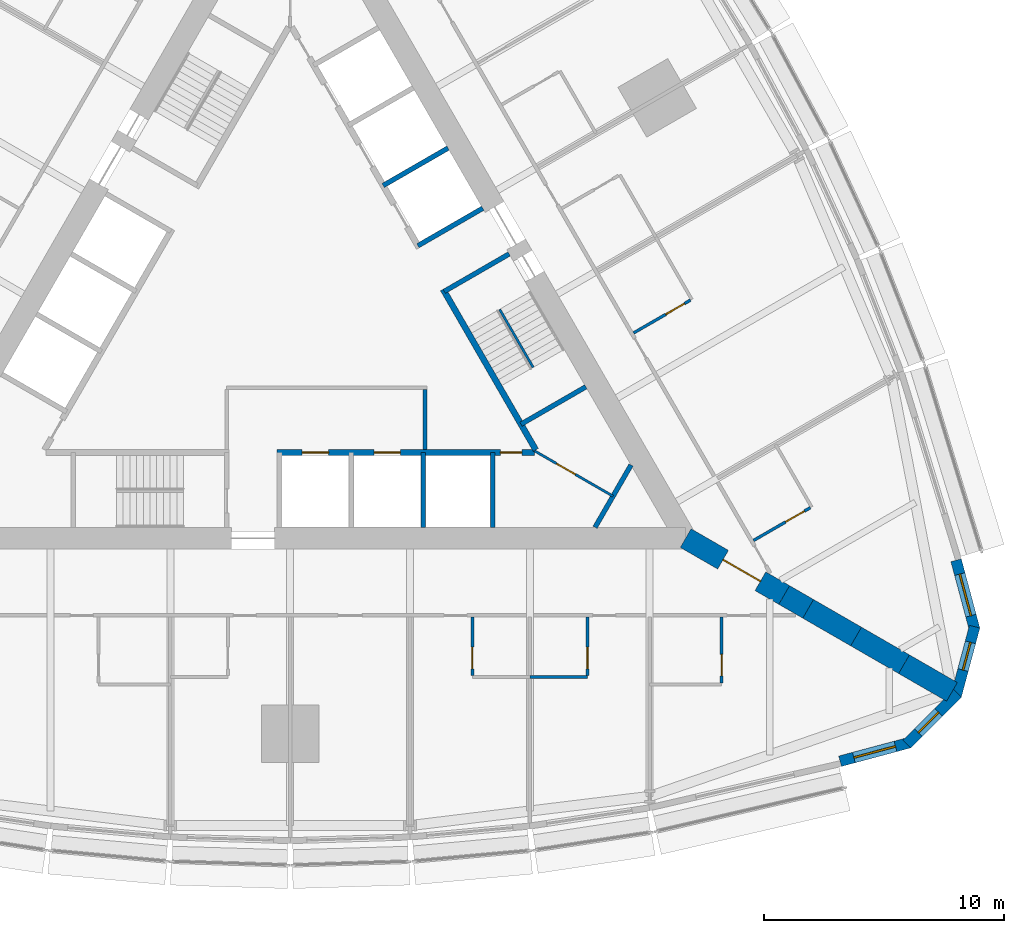
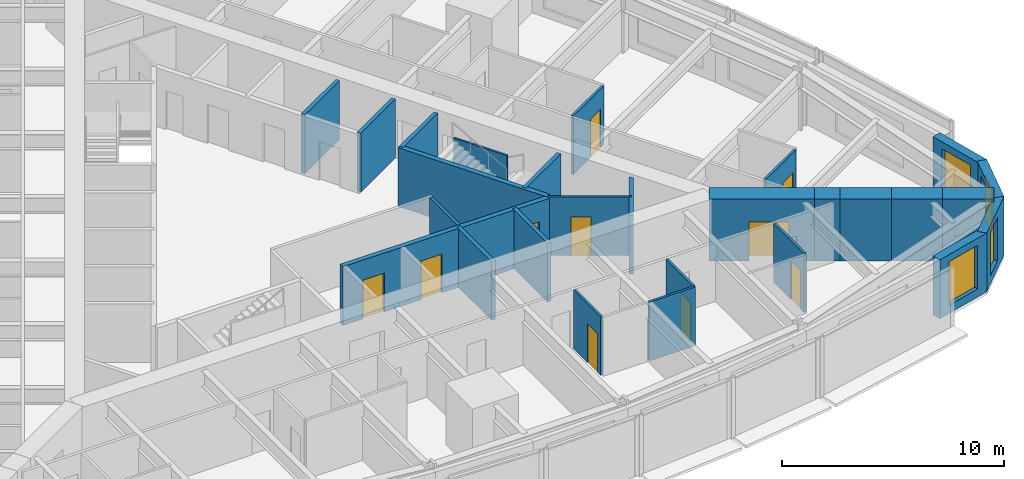
# One storey, part 10 of 14: 27 walls, 10 doors, 4 windows, 14 openings.
"""IFC4 building model written with IfcOpenShell, lengths in metres."""

from ifc_helpers import new_model, si_unit, direction, frame, frame_2d, origin, place, context, subcontext, project, spatial, polyline, rectangle, outline, extrude, material, layer, layer_set, type_object, element, fill, save


model = new_model("IFC4")

# Units and contexts
model_context = context("Model", 3, precision=1e-05, world=origin(), true_north=direction((0.0, 1.0)))
body_context = subcontext(model_context, "Body", "Model", "MODEL_VIEW")
ifc_project = project(units=[si_unit("LENGTHUNIT", "METRE"), si_unit("AREAUNIT", "SQUARE_METRE"), si_unit("VOLUMEUNIT", "CUBIC_METRE"), si_unit("PLANEANGLEUNIT", "RADIAN"), si_unit("MASSUNIT", "GRAM", prefix="KILO")], contexts=[model_context])

# Site, building, storey
site_placement = place(None, origin())
site = spatial("IfcSite", under=ifc_project, at=site_placement, CompositionType="ELEMENT")
building_placement = place(site_placement, origin())
building = spatial("IfcBuilding", under=site, at=building_placement, Name="Trikona Tower", CompositionType="ELEMENT")
storey_placement = place(building_placement, frame((0.0, 0.0, 89.699951171875)))
storey = spatial("IfcBuildingStorey", under=building, at=storey_placement, Name="L23", CompositionType="ELEMENT", Elevation=89.699951171875)

# Wall, opening, door
ifc_material_1 = material(Name="Metal stud and cement board", Category="gypsum")
ifc_layer_1 = layer(ifc_material_1, 0.1201171875)
ifc_layer_set_1 = layer_set([ifc_layer_1], Name="Bathroom wall 120")
wall_type_1 = type_object("IfcWallType", Name="Bathroom wall 120", PredefinedType="PLUMBINGWALL", material=ifc_layer_set_1)
wall_1_placement = place(storey_placement, frame((7.60009765625, -12.826416015625, 0.0), z_axis=(0.0, 0.0, 1.0), x_axis=(0.0, -1.0, 0.0)))
wall_1 = element("IfcWall", 1, at=wall_1_placement, inside=storey, type_object=wall_type_1, Name="Bathroom wall 2304", PredefinedType="PLUMBINGWALL", context=body_context, shape_type="SweptSolid", body=[
    extrude(rectangle(XDim=2.43994140625, YDim=0.1201171875, at=frame_2d((1.219970703125, 0.0))), origin(), (0.0, 0.0, 1.0), 3.235107421875),
])
opening_1_placement = place(wall_1_placement, frame((1.25, 0.0, 0.0)))
opening_1 = element("IfcOpeningElement", 2, at=opening_1_placement, cuts=wall_1, Name="Opening D2", PredefinedType="OPENING", context=body_context, shape_type="SweptSolid", body=[
    extrude(rectangle(XDim=0.89990234375, YDim=2.1298828125, at=frame_2d((0.449951171875, 1.06494140625))), frame((0.0, 0.070068359375, 0.0), z_axis=(0.0, -1.0, 0.0), x_axis=(1.0, 0.0, 0.0)), (0.0, 0.0, 1.0), 0.14013671875),
])
ifc_material_2 = material(Name="Steel door frame with solid-core timber leaf", Category="steel")
door_type_1 = type_object("IfcDoorType", Name="Bathroom door 900x2130", OperationType="SLIDING_TO_LEFT", PredefinedType="DOOR", material=ifc_material_2)
door_1_placement = place(opening_1_placement, origin())
door_1 = element("IfcDoor", 3, at=door_1_placement, inside=storey, type_object=door_type_1, Name="Bathroom door 2304", OperationType="SLIDING_TO_LEFT", OverallHeight=2.1298828125, OverallWidth=0.89990234375, PredefinedType="DOOR", context=body_context, shape_type="SweptSolid", body=[
    extrude(rectangle(XDim=0.89990234375, YDim=2.1298828125, at=frame_2d((0.449951171875, 1.06494140625))), frame((0.0, 0.02490234375, 0.0), z_axis=(0.0, -1.0, 0.0), x_axis=(1.0, 0.0, 0.0)), (0.0, 0.0, 1.0), 0.050048828125),
])
fill(opening_1, door_1)

# Wall
wall_2_placement = place(storey_placement, frame((10.0, -15.326416015625, 0.0), z_axis=(0.0, 0.0, 1.0), x_axis=(1.0, 0.0, 0.0)))
element("IfcWall", 4, at=wall_2_placement, inside=storey, type_object=wall_type_1, Name="Bathroom wall 2305", PredefinedType="PLUMBINGWALL", context=body_context, shape_type="SweptSolid", body=[
    extrude(rectangle(XDim=2.39990234375, YDim=0.1201171875, at=frame_2d((1.199951171875, 0.0))), origin(), (0.0, 0.0, 1.0), 3.235107421875),
])

# Wall, opening, door
wall_3_placement = place(storey_placement, frame((12.39990234375, -12.826416015625, 0.0), z_axis=(0.0, 0.0, 1.0), x_axis=(0.0, -1.0, 0.0)))
wall_3 = element("IfcWall", 5, at=wall_3_placement, inside=storey, type_object=wall_type_1, Name="Bathroom wall 2305", PredefinedType="PLUMBINGWALL", context=body_context, shape_type="SweptSolid", body=[
    extrude(rectangle(XDim=2.43994140625, YDim=0.1201171875, at=frame_2d((1.219970703125, 0.0))), origin(), (0.0, 0.0, 1.0), 3.235107421875),
])
opening_2_placement = place(wall_3_placement, frame((1.25, 0.0, 0.0)))
opening_2 = element("IfcOpeningElement", 6, at=opening_2_placement, cuts=wall_3, Name="Opening D2", PredefinedType="OPENING", context=body_context, shape_type="SweptSolid", body=[
    extrude(rectangle(XDim=0.89990234375, YDim=2.1298828125, at=frame_2d((0.449951171875, 1.06494140625))), frame((0.0, 0.070068359375, 0.0), z_axis=(0.0, -1.0, 0.0), x_axis=(1.0, 0.0, 0.0)), (0.0, 0.0, 1.0), 0.14013671875),
])
door_2_placement = place(opening_2_placement, origin())
door_2 = element("IfcDoor", 7, at=door_2_placement, inside=storey, type_object=door_type_1, Name="Bathroom door 2305", OperationType="SLIDING_TO_LEFT", OverallHeight=2.1298828125, OverallWidth=0.89990234375, PredefinedType="DOOR", context=body_context, shape_type="SweptSolid", body=[
    extrude(rectangle(XDim=0.89990234375, YDim=2.1298828125, at=frame_2d((0.449951171875, 1.06494140625))), frame((0.0, 0.02490234375, 0.0), z_axis=(0.0, -1.0, 0.0), x_axis=(1.0, 0.0, 0.0)), (0.0, 0.0, 1.0), 0.050048828125),
])
fill(opening_2, door_2)

wall_4_placement = place(storey_placement, frame((18.0, -12.826416015625, 0.0), z_axis=(0.0, 0.0, 1.0), x_axis=(0.0, -1.0, 0.0)))
wall_4 = element("IfcWall", 8, at=wall_4_placement, inside=storey, type_object=wall_type_1, Name="Bathroom wall 2306", PredefinedType="PLUMBINGWALL", context=body_context, shape_type="SweptSolid", body=[
    extrude(rectangle(XDim=2.739990234375, YDim=0.1201171875, at=frame_2d((1.3701171875, 0.0))), origin(), (0.0, 0.0, 1.0), 3.235107421875),
])
opening_3_placement = place(wall_4_placement, frame((1.550048828125, 0.0, 0.0)))
opening_3 = element("IfcOpeningElement", 9, at=opening_3_placement, cuts=wall_4, Name="Opening D2", PredefinedType="OPENING", context=body_context, shape_type="SweptSolid", body=[
    extrude(rectangle(XDim=0.89990234375, YDim=2.1298828125, at=frame_2d((0.449951171875, 1.06494140625))), frame((0.0, 0.070068359375, 0.0), z_axis=(0.0, -1.0, 0.0), x_axis=(1.0, 0.0, 0.0)), (0.0, 0.0, 1.0), 0.14013671875),
])
door_3_placement = place(opening_3_placement, origin())
door_3 = element("IfcDoor", 10, at=door_3_placement, inside=storey, type_object=door_type_1, Name="Bathroom door 2306", OperationType="SLIDING_TO_LEFT", OverallHeight=2.1298828125, OverallWidth=0.89990234375, PredefinedType="DOOR", context=body_context, shape_type="SweptSolid", body=[
    extrude(rectangle(XDim=0.89990234375, YDim=2.1298828125, at=frame_2d((0.449951171875, 1.06494140625))), frame((0.0, 0.02490234375, 0.0), z_axis=(0.0, -1.0, 0.0), x_axis=(1.0, 0.0, 0.0)), (0.0, 0.0, 1.0), 0.050048828125),
])
fill(opening_3, door_3)

wall_5_placement = place(storey_placement, frame((19.32861328125, -9.625244140625, 0.0), z_axis=(0.0, 0.0, 1.0), x_axis=(0.866035715982, 0.499982138324, 0.0)))
wall_5 = element("IfcWall", 11, at=wall_5_placement, inside=storey, type_object=wall_type_1, Name="Bathroom wall 2307", PredefinedType="PLUMBINGWALL", context=body_context, shape_type="SweptSolid", body=[
    extrude(rectangle(XDim=2.73974609375, YDim=0.1201171875, at=frame_2d((1.369873046875, 0.0))), origin(), (0.0, 0.0, 1.0), 3.235107421875),
])
opening_4_placement = place(wall_5_placement, frame((1.550048828125, 0.0, 0.0)))
opening_4 = element("IfcOpeningElement", 12, at=opening_4_placement, cuts=wall_5, Name="Opening D2", PredefinedType="OPENING", context=body_context, shape_type="SweptSolid", body=[
    extrude(rectangle(XDim=0.89990234375, YDim=2.1298828125, at=frame_2d((0.449951171875, 1.06494140625))), frame((0.0, 0.070068359375, 0.0), z_axis=(0.0, -1.0, 0.0), x_axis=(1.0, 0.0, 0.0)), (0.0, 0.0, 1.0), 0.14013671875),
])
door_4_placement = place(opening_4_placement, origin())
door_4 = element("IfcDoor", 13, at=door_4_placement, inside=storey, type_object=door_type_1, Name="Bathroom door 2307", OperationType="SLIDING_TO_LEFT", OverallHeight=2.1298828125, OverallWidth=0.89990234375, PredefinedType="DOOR", context=body_context, shape_type="SweptSolid", body=[
    extrude(rectangle(XDim=0.89990234375, YDim=2.1298828125, at=frame_2d((0.449951171875, 1.06494140625))), frame((0.0, 0.02490234375, 0.0), z_axis=(0.0, -1.0, 0.0), x_axis=(1.0, 0.0, 0.0)), (0.0, 0.0, 1.0), 0.050048828125),
])
fill(opening_4, door_4)

wall_6_placement = place(storey_placement, frame((14.32861328125, -0.965087890625, 0.0), z_axis=(0.0, 0.0, 1.0), x_axis=(0.866035715982, 0.499982138324, 0.0)))
wall_6 = element("IfcWall", 14, at=wall_6_placement, inside=storey, type_object=wall_type_1, Name="Bathroom wall 2308", PredefinedType="PLUMBINGWALL", context=body_context, shape_type="SweptSolid", body=[
    extrude(rectangle(XDim=2.73974609375, YDim=0.1201171875, at=frame_2d((1.369873046875, 0.0))), origin(), (0.0, 0.0, 1.0), 3.235107421875),
])
opening_5_placement = place(wall_6_placement, frame((1.550048828125, 0.0, 0.0)))
opening_5 = element("IfcOpeningElement", 15, at=opening_5_placement, cuts=wall_6, Name="Opening D2", PredefinedType="OPENING", context=body_context, shape_type="SweptSolid", body=[
    extrude(rectangle(XDim=0.89990234375, YDim=2.1298828125, at=frame_2d((0.449951171875, 1.06494140625))), frame((0.0, 0.070068359375, 0.0), z_axis=(0.0, -1.0, 0.0), x_axis=(1.0, 0.0, 0.0)), (0.0, 0.0, 1.0), 0.14013671875),
])
door_5_placement = place(opening_5_placement, origin())
door_5 = element("IfcDoor", 16, at=door_5_placement, inside=storey, type_object=door_type_1, Name="Bathroom door 2308", OperationType="SLIDING_TO_LEFT", OverallHeight=2.1298828125, OverallWidth=0.89990234375, PredefinedType="DOOR", context=body_context, shape_type="SweptSolid", body=[
    extrude(rectangle(XDim=0.89990234375, YDim=2.1298828125, at=frame_2d((0.449951171875, 1.06494140625))), frame((0.0, 0.02490234375, 0.0), z_axis=(0.0, -1.0, 0.0), x_axis=(1.0, 0.0, 0.0)), (0.0, 0.0, 1.0), 0.050048828125),
])
fill(opening_5, door_5)

# Wall, opening, window
ifc_material_3 = material(Name="Brick-faced precast concrete", Category="masonry")
ifc_layer_2 = layer(ifc_material_3, 0.449951171875)
ifc_layer_set_2 = layer_set([ifc_layer_2], Name="Brick-faced corner wall 450")
wall_type_2 = type_object("IfcWallType", Name="Brick-faced corner wall 450", PredefinedType="SOLIDWALL", material=ifc_layer_set_2)
wall_7_placement = place(storey_placement, frame((22.94189453125, -18.835205078125, 0.0), z_axis=(0.0, 0.0, 1.0), x_axis=(0.965930548995, 0.258801419081, 0.0)))
wall_7 = element("IfcWall", 17, at=wall_7_placement, inside=storey, type_object=wall_type_2, Name="External wall L23-08", PredefinedType="SOLIDWALL", context=body_context, shape_type="SweptSolid", body=[
    extrude(rectangle(XDim=2.988525390625, YDim=0.449951171875, at=frame_2d((1.494140625, 0.0))), origin(), (0.0, 0.0, 1.0), 3.235107421875),
])
opening_6_placement = place(wall_7_placement, frame((0.59423828125, 0.0, 0.449951171875)))
opening_6 = element("IfcOpeningElement", 18, at=opening_6_placement, cuts=wall_7, Name="Opening W1824", PredefinedType="OPENING", context=body_context, shape_type="SweptSolid", body=[
    extrude(rectangle(XDim=1.800048828125, YDim=2.39990234375, at=frame_2d((0.89990234375, 1.199951171875))), frame((0.0, 0.23486328125, 0.0), z_axis=(0.0, -1.0, 0.0), x_axis=(1.0, 0.0, 0.0)), (0.0, 0.0, 1.0), 0.469970703125),
])
ifc_material_4 = material(Name="Aluminium-framed double glazing", Category="aluminium")
window_type_1 = type_object("IfcWindowType", Name="Window 1800x2400", PartitioningType="SINGLE_PANEL", PredefinedType="WINDOW", material=ifc_material_4)
window_1_placement = place(opening_6_placement, origin())
window_1 = element("IfcWindow", 19, at=window_1_placement, inside=storey, type_object=window_type_1, Name="Window 2306", OverallHeight=2.39990234375, OverallWidth=1.800048828125, PartitioningType="SINGLE_PANEL", PredefinedType="WINDOW", context=body_context, shape_type="SweptSolid", body=[
    extrude(rectangle(XDim=1.800048828125, YDim=2.39990234375, at=frame_2d((0.89990234375, 1.199951171875))), frame((0.0, 0.030029296875, 0.0), z_axis=(0.0, -1.0, 0.0), x_axis=(1.0, 0.0, 0.0)), (0.0, 0.0, 1.0), 0.06005859375),
])
fill(opening_6, window_1)

wall_8_placement = place(storey_placement, frame((25.727783203125, -18.1201171875, 0.0), z_axis=(0.0, 0.0, 1.0), x_axis=(0.707025086683, 0.707188466253, 0.0)))
wall_8 = element("IfcWall", 20, at=wall_8_placement, inside=storey, type_object=wall_type_2, Name="External wall L23-09", PredefinedType="SOLIDWALL", context=body_context, shape_type="SweptSolid", body=[
    extrude(outline(polyline([(2.988525390625, 0.22509765625), (2.929931640625, 0.22509765625), (2.4375, 0.093017578125), (2.402099609375, 0.22509765625), (0.0, 0.22509765625), (0.0, -0.22509765625), (2.988525390625, -0.22509765625), (2.988525390625, 0.22509765625)])), origin(), (0.0, 0.0, 1.0), 3.235107421875),
])
opening_7_placement = place(wall_8_placement, frame((0.676025390625, 0.0, 0.449951171875)))
opening_7 = element("IfcOpeningElement", 21, at=opening_7_placement, cuts=wall_8, Name="Opening W1224", PredefinedType="OPENING", context=body_context, shape_type="SweptSolid", body=[
    extrude(rectangle(XDim=1.199951171875, YDim=2.39990234375, at=frame_2d((0.60009765625, 1.199951171875))), frame((0.0, 0.23486328125, 0.0), z_axis=(0.0, -1.0, 0.0), x_axis=(1.0, 0.0, 0.0)), (0.0, 0.0, 1.0), 0.469970703125),
])
ifc_material_5 = material(Name="Aluminium-framed double glazing", Category="aluminium")
window_type_2 = type_object("IfcWindowType", Name="Window 1200x2400", PartitioningType="SINGLE_PANEL", PredefinedType="WINDOW", material=ifc_material_5)
window_2_placement = place(opening_7_placement, origin())
window_2 = element("IfcWindow", 22, at=window_2_placement, inside=storey, type_object=window_type_2, Name="Window 2306", OverallHeight=2.39990234375, OverallWidth=1.199951171875, PartitioningType="SINGLE_PANEL", PredefinedType="WINDOW", context=body_context, shape_type="SweptSolid", body=[
    extrude(rectangle(XDim=1.199951171875, YDim=2.39990234375, at=frame_2d((0.60009765625, 1.199951171875))), frame((0.0, 0.030029296875, 0.0), z_axis=(0.0, -1.0, 0.0), x_axis=(1.0, 0.0, 0.0)), (0.0, 0.0, 1.0), 0.06005859375),
])
fill(opening_7, window_2)

wall_9_placement = place(storey_placement, frame((27.78271484375, -16.107666015625, 0.0), z_axis=(0.0, 0.0, 1.0), x_axis=(0.258801419081, 0.965930548995, 0.0)))
wall_9 = element("IfcWall", 23, at=wall_9_placement, inside=storey, type_object=wall_type_2, Name="External wall L23-10", PredefinedType="SOLIDWALL", context=body_context, shape_type="SweptSolid", body=[
    extrude(outline(polyline([(2.988525390625, 0.22509765625), (0.58642578125, 0.22509765625), (0.55126953125, 0.09326171875), (0.0595703125, 0.22509765625), (0.0, 0.22509765625), (0.0, -0.22509765625), (2.988525390625, -0.22509765625), (2.988525390625, 0.22509765625)])), origin(), (0.0, 0.0, 1.0), 3.235107421875),
])
opening_8_placement = place(wall_9_placement, frame((1.112548828125, 0.0, 0.449951171875)))
opening_8 = element("IfcOpeningElement", 24, at=opening_8_placement, cuts=wall_9, Name="Opening W1224", PredefinedType="OPENING", context=body_context, shape_type="SweptSolid", body=[
    extrude(rectangle(XDim=1.199951171875, YDim=2.39990234375, at=frame_2d((0.60009765625, 1.199951171875))), frame((0.0, 0.23486328125, 0.0), z_axis=(0.0, -1.0, 0.0), x_axis=(1.0, 0.0, 0.0)), (0.0, 0.0, 1.0), 0.469970703125),
])
window_3_placement = place(opening_8_placement, origin())
window_3 = element("IfcWindow", 25, at=window_3_placement, inside=storey, type_object=window_type_2, Name="Window 2307", OverallHeight=2.39990234375, OverallWidth=1.199951171875, PartitioningType="SINGLE_PANEL", PredefinedType="WINDOW", context=body_context, shape_type="SweptSolid", body=[
    extrude(rectangle(XDim=1.199951171875, YDim=2.39990234375, at=frame_2d((0.60009765625, 1.199951171875))), frame((0.0, 0.030029296875, 0.0), z_axis=(0.0, -1.0, 0.0), x_axis=(1.0, 0.0, 0.0)), (0.0, 0.0, 1.0), 0.06005859375),
])
fill(opening_8, window_3)

wall_10_placement = place(storey_placement, frame((28.55615234375, -13.33740234375, 0.0), z_axis=(0.0, 0.0, 1.0), x_axis=(-0.258780998834, 0.965936019953, 0.0)))
wall_10 = element("IfcWall", 26, at=wall_10_placement, inside=storey, type_object=wall_type_2, Name="External wall L23-11", PredefinedType="SOLIDWALL", context=body_context, shape_type="SweptSolid", body=[
    extrude(rectangle(XDim=2.98876953125, YDim=0.449951171875, at=frame_2d((1.494384765625, 0.0))), origin(), (0.0, 0.0, 1.0), 3.235107421875),
])
opening_9_placement = place(wall_10_placement, frame((0.59423828125, 0.0, 0.449951171875)))
opening_9 = element("IfcOpeningElement", 27, at=opening_9_placement, cuts=wall_10, Name="Opening W1824", PredefinedType="OPENING", context=body_context, shape_type="SweptSolid", body=[
    extrude(rectangle(XDim=1.800048828125, YDim=2.39990234375, at=frame_2d((0.89990234375, 1.199951171875))), frame((0.0, 0.23486328125, 0.0), z_axis=(0.0, -1.0, 0.0), x_axis=(1.0, 0.0, 0.0)), (0.0, 0.0, 1.0), 0.469970703125),
])
window_4_placement = place(opening_9_placement, origin())
window_4 = element("IfcWindow", 28, at=window_4_placement, inside=storey, type_object=window_type_1, Name="Window 2307", OverallHeight=2.39990234375, OverallWidth=1.800048828125, PartitioningType="SINGLE_PANEL", PredefinedType="WINDOW", context=body_context, shape_type="SweptSolid", body=[
    extrude(rectangle(XDim=1.800048828125, YDim=2.39990234375, at=frame_2d((0.89990234375, 1.199951171875))), frame((0.0, 0.030029296875, 0.0), z_axis=(0.0, -1.0, 0.0), x_axis=(1.0, 0.0, 0.0)), (0.0, 0.0, 1.0), 0.06005859375),
])
fill(opening_9, window_4)

# Wall, opening, door
ifc_material_6 = material(Name="Concrete f'c 10000 psi", Category="concrete")
ifc_layer_3 = layer(ifc_material_6, 0.89990234375)
ifc_layer_set_3 = layer_set([ifc_layer_3], Name="Buttress wall 900")
wall_type_3 = type_object("IfcWallType", Name="Buttress wall 900", PredefinedType="SHEAR", material=ifc_layer_set_3)
wall_11_placement = place(storey_placement, frame((16.5, -9.5263671875, 0.0), z_axis=(0.0, 0.0, 1.0), x_axis=(0.866031398331, -0.499989616998, 0.0)))
wall_11 = element("IfcWall", 29, at=wall_11_placement, inside=storey, type_object=wall_type_3, Name="Buttress wall 1", PredefinedType="SHEAR", context=body_context, shape_type="SweptSolid", body=[
    extrude(rectangle(XDim=4.74609375, YDim=0.89990234375, at=frame_2d((2.373046875, 0.0))), origin(), (0.0, 0.0, 1.0), 3.400146484375),
])
opening_10_placement = place(wall_11_placement, frame((1.800048828125, 0.0, 0.0)))
opening_10 = element("IfcOpeningElement", 30, at=opening_10_placement, cuts=wall_11, Name="Opening D10", PredefinedType="OPENING", context=body_context, shape_type="SweptSolid", body=[
    extrude(rectangle(XDim=1.800048828125, YDim=2.1298828125, at=frame_2d((0.89990234375, 1.06494140625))), frame((0.0, 0.4599609375, 0.0), z_axis=(0.0, -1.0, 0.0), x_axis=(1.0, 0.0, 0.0)), (0.0, 0.0, 1.0), 0.919921875),
])
ifc_material_7 = material(Name="Hollow metal door and frame", Category="steel")
door_type_2 = type_object("IfcDoorType", Name="Cross-corridor door pair 1800x2130", OperationType="DOUBLE_DOOR_DOUBLE_SWING", PredefinedType="DOOR", material=ifc_material_7)
door_6_placement = place(opening_10_placement, origin())
door_6 = element("IfcDoor", 31, at=door_6_placement, inside=storey, type_object=door_type_2, Name="Cross-corridor door 1", OperationType="DOUBLE_DOOR_DOUBLE_SWING", OverallHeight=2.1298828125, OverallWidth=1.800048828125, PredefinedType="DOOR", context=body_context, shape_type="SweptSolid", body=[
    extrude(rectangle(XDim=1.800048828125, YDim=2.1298828125, at=frame_2d((0.89990234375, 1.06494140625))), frame((0.0, 0.02490234375, 0.0), z_axis=(0.0, -1.0, 0.0), x_axis=(1.0, 0.0, 0.0)), (0.0, 0.0, 1.0), 0.050048828125),
])
fill(opening_10, door_6)

# Walls
wall_12_placement = place(storey_placement, frame((20.6103515625, -11.8994140625, 0.0), z_axis=(0.0, 0.0, 1.0), x_axis=(0.866009537788, -0.500027479704, 0.0)))
element("IfcWall", 32, at=wall_12_placement, inside=storey, type_object=wall_type_3, Name="Buttress wall 1 part 2", PredefinedType="SHEAR", context=body_context, shape_type="SweptSolid", body=[
    extrude(rectangle(XDim=1.15478515625, YDim=0.89990234375, at=frame_2d((0.577392578125, 0.0))), origin(), (0.0, 0.0, 1.0), 3.400146484375),
])
for number, where, z_axis, x_axis, name in (
    (33, (21.6103515625, -12.476806640625, 0.0), (0.0, 0.0, 1.0), (0.866055313784, -0.499948190782, 0.0), "Buttress wall 1 part 3"),
    (34, (23.6103515625, -13.63134765625, 0.0), (0.0, 0.0, 1.0), (0.866009537788, -0.500027479704, 0.0), "Buttress wall 1 part 4"),
    (35, (25.6103515625, -14.7861328125, 0.0), (0.0, 0.0, 1.0), (0.866009537788, -0.500027479704, 0.0), "Buttress wall 1 part 5"),
):
    element("IfcWall", number, at=place(storey_placement, frame(where, z_axis=z_axis, x_axis=x_axis)), inside=storey, type_object=wall_type_3, Name=name, PredefinedType="SHEAR", context=body_context, shape_type="SweptSolid", body=[
        extrude(rectangle(XDim=2.309326171875, YDim=0.89990234375, at=frame_2d((1.15478515625, 0.0))), origin(), (0.0, 0.0, 1.0), 3.400146484375),
    ])

# Wall, openings, doors
ifc_material_8 = material(Name="Concrete f'c 8000 psi", Category="concrete")
ifc_layer_4 = layer(ifc_material_8, 0.25)
ifc_layer_set_4 = layer_set([ifc_layer_4], Name="Hub wall 250")
wall_type_4 = type_object("IfcWallType", Name="Hub wall 250", PredefinedType="SOLIDWALL", material=ifc_layer_set_4)
wall_13_placement = place(storey_placement, frame((-0.550048828125, -5.951416015625, 0.0), z_axis=(0.0, 0.0, 1.0), x_axis=(1.0, 0.0, 0.0)))
wall_13 = element("IfcWall", 36, at=wall_13_placement, inside=storey, type_object=wall_type_4, Name="Lift lobby wall A2", PredefinedType="SOLIDWALL", context=body_context, shape_type="SweptSolid", body=[
    extrude(rectangle(XDim=10.73291015625, YDim=0.25, at=frame_2d((5.366455078125, 0.0))), origin(), (0.0, 0.0, 1.0), 3.235107421875),
])
opening_11_placement = place(wall_13_placement, frame((9.31396484375, 0.0, 0.0)))
opening_11 = element("IfcOpeningElement", 37, at=opening_11_placement, cuts=wall_13, Name="Opening D14", PredefinedType="OPENING", context=body_context, shape_type="SweptSolid", body=[
    extrude(rectangle(XDim=0.89990234375, YDim=2.1298828125, at=frame_2d((0.449951171875, 1.06494140625))), frame((0.0, 0.135009765625, 0.0), z_axis=(0.0, -1.0, 0.0), x_axis=(1.0, 0.0, 0.0)), (0.0, 0.0, 1.0), 0.27001953125),
])
opening_12_placement = place(wall_13_placement, frame((1.050048828125, 0.0, 0.0)))
opening_12 = element("IfcOpeningElement", 38, at=opening_12_placement, cuts=wall_13, Name="Opening LD", PredefinedType="OPENING", context=body_context, shape_type="SweptSolid", body=[
    extrude(rectangle(XDim=1.10009765625, YDim=2.1298828125, at=frame_2d((0.550048828125, 1.06494140625))), frame((0.0, 0.135009765625, 0.0), z_axis=(0.0, -1.0, 0.0), x_axis=(1.0, 0.0, 0.0)), (0.0, 0.0, 1.0), 0.27001953125),
])
opening_13_placement = place(wall_13_placement, frame((4.050048828125, 0.0, 0.0)))
opening_13 = element("IfcOpeningElement", 39, at=opening_13_placement, cuts=wall_13, Name="Opening LD", PredefinedType="OPENING", context=body_context, shape_type="SweptSolid", body=[
    extrude(rectangle(XDim=1.10009765625, YDim=2.1298828125, at=frame_2d((0.550048828125, 1.06494140625))), frame((0.0, 0.135009765625, 0.0), z_axis=(0.0, -1.0, 0.0), x_axis=(1.0, 0.0, 0.0)), (0.0, 0.0, 1.0), 0.27001953125),
])
ifc_material_9 = material(Name="Stainless steel lift landing door", Category="steel")
door_type_3 = type_object("IfcDoorType", Name="Lift landing door 1100x2130", OperationType="DOUBLE_DOOR_SLIDING", PredefinedType="USERDEFINED", material=ifc_material_9)
door_7_placement = place(opening_12_placement, origin())
door_7 = element("IfcDoor", 40, at=door_7_placement, inside=storey, type_object=door_type_3, Name="Lift landing door FF1", ObjectType="LIFT LANDING DOOR", OperationType="DOUBLE_DOOR_SLIDING", OverallHeight=2.1298828125, OverallWidth=1.10009765625, PredefinedType="USERDEFINED", context=body_context, shape_type="SweptSolid", body=[
    extrude(rectangle(XDim=1.10009765625, YDim=2.1298828125, at=frame_2d((0.550048828125, 1.06494140625))), frame((0.0, 0.02490234375, 0.0), z_axis=(0.0, -1.0, 0.0), x_axis=(1.0, 0.0, 0.0)), (0.0, 0.0, 1.0), 0.050048828125),
])
fill(opening_12, door_7)
door_8_placement = place(opening_13_placement, origin())
door_8 = element("IfcDoor", 41, at=door_8_placement, inside=storey, type_object=door_type_3, Name="Lift landing door FF2", ObjectType="LIFT LANDING DOOR", OperationType="DOUBLE_DOOR_SLIDING", OverallHeight=2.1298828125, OverallWidth=1.10009765625, PredefinedType="USERDEFINED", context=body_context, shape_type="SweptSolid", body=[
    extrude(rectangle(XDim=1.10009765625, YDim=2.1298828125, at=frame_2d((0.550048828125, 1.06494140625))), frame((0.0, 0.02490234375, 0.0), z_axis=(0.0, -1.0, 0.0), x_axis=(1.0, 0.0, 0.0)), (0.0, 0.0, 1.0), 0.050048828125),
])
fill(opening_13, door_8)
ifc_material_10 = material(Name="Hollow metal door and frame", Category="steel")
door_type_4 = type_object("IfcDoorType", Name="Service room door 900x2130", OperationType="SINGLE_SWING_LEFT", PredefinedType="DOOR", material=ifc_material_10)
door_9_placement = place(opening_11_placement, origin())
door_9 = element("IfcDoor", 42, at=door_9_placement, inside=storey, type_object=door_type_4, Name="Door Linen store LIN", OperationType="SINGLE_SWING_RIGHT", OverallHeight=2.1298828125, OverallWidth=0.89990234375, PredefinedType="DOOR", context=body_context, shape_type="SweptSolid", body=[
    extrude(rectangle(XDim=0.89990234375, YDim=2.1298828125, at=frame_2d((0.449951171875, 1.06494140625))), frame((0.0, 0.02490234375, 0.0), z_axis=(0.0, -1.0, 0.0), x_axis=(1.0, 0.0, 0.0)), (0.0, 0.0, 1.0), 0.050048828125),
])
fill(opening_11, door_9)

# Walls
wall_14_placement = place(storey_placement, frame((10.245361328125, -5.843017578125, 0.0), z_axis=(0.0, 0.0, 1.0), x_axis=(-0.499993009313, 0.866029439822, 0.0)))
element("IfcWall", 43, at=wall_14_placement, inside=storey, type_object=wall_type_4, Name="Lift lobby wall B1", PredefinedType="SOLIDWALL", context=body_context, shape_type="SweptSolid", body=[
    extrude(rectangle(XDim=7.73291015625, YDim=0.25, at=frame_2d((3.866455078125, 0.0))), origin(), (0.0, 0.0, 1.0), 3.235107421875),
])
ifc_material_11 = material(Name="Metal stud and gypsum board, 2-hour shaft wall", Category="gypsum")
ifc_layer_5 = layer(ifc_material_11, 0.14990234375)
ifc_layer_set_5 = layer_set([ifc_layer_5], Name="Lobby wall 150")
wall_type_5 = type_object("IfcWallType", Name="Lobby wall 150", PredefinedType="PARTITIONING", material=ifc_layer_set_5)
wall_15_placement = place(storey_placement, frame((5.625, -5.826416015625, 0.0), z_axis=(0.0, 0.0, 1.0), x_axis=(0.0, 1.0, 0.0)))
element("IfcWall", 44, at=wall_15_placement, inside=storey, type_object=wall_type_5, Name="Fire service lift lobby wall 3", PredefinedType="PARTITIONING", context=body_context, shape_type="SweptSolid", body=[
    extrude(rectangle(XDim=2.5, YDim=0.14990234375, at=frame_2d((1.25, 0.0))), origin(), (0.0, 0.0, 1.0), 3.235107421875),
])
ifc_material_12 = material(Name="Concrete f'c 8000 psi", Category="concrete")
ifc_layer_6 = layer(ifc_material_12, 0.199951171875)
ifc_layer_set_6 = layer_set([ifc_layer_6], Name="Shaft wall 200")
wall_type_6 = type_object("IfcWallType", Name="Shaft wall 200", PredefinedType="SOLIDWALL", material=ifc_layer_set_6)
for number, where, z_axis, x_axis, name in (
    (45, (5.550048828125, -5.951416015625, 0.0), (0.0, 0.0, 1.0), (0.0, -1.0, 0.0), "Shaft wall A5"),
    (46, (8.449951171875, -5.951416015625, 0.0), (0.0, 0.0, 1.0), (0.0, -1.0, 0.0), "Shaft wall A6"),
    (47, (5.3291015625, 2.672607421875, 0.0), (0.0, 0.0, 1.0), (0.866022959057, 0.500004234368, 0.0), "Shaft wall B3"),
    (48, (3.87890625, 5.18408203125, 0.0), (0.0, 0.0, 1.0), (0.866022959057, 0.500004234368, 0.0), "Shaft wall B4"),
):
    element("IfcWall", number, at=place(storey_placement, frame(where, z_axis=z_axis, x_axis=x_axis)), inside=storey, type_object=wall_type_6, Name=name, PredefinedType="SOLIDWALL", context=body_context, shape_type="SweptSolid", body=[
        extrude(rectangle(XDim=3.125, YDim=0.199951171875, at=frame_2d((1.5625, 0.0))), origin(), (0.0, 0.0, 1.0), 3.235107421875),
    ])
wall_16_placement = place(storey_placement, frame((14.219482421875, -6.476318359375, 0.0), z_axis=(0.0, 0.0, 1.0), x_axis=(-0.499952404951, -0.866052881055, 0.0)))
element("IfcWall", 49, at=wall_16_placement, inside=storey, type_object=wall_type_6, Name="Riser wall L23-RS1", PredefinedType="SOLIDWALL", context=body_context, shape_type="SweptSolid", body=[
    extrude(rectangle(XDim=3.002197265625, YDim=0.199951171875, at=frame_2d((1.5009765625, 0.0))), origin(), (0.0, 0.0, 1.0), 3.235107421875),
])
ifc_material_13 = material(Name="Concrete f'c 8000 psi", Category="concrete")
ifc_layer_7 = layer(ifc_material_13, 0.199951171875)
ifc_layer_set_7 = layer_set([ifc_layer_7], Name="Shaft wall 200 load-bearing")
wall_type_7 = type_object("IfcWallType", Name="Shaft wall 200 load-bearing", PredefinedType="SOLIDWALL", material=ifc_layer_set_7)
for number, where, z_axis, x_axis, name in (
    (50, (9.62890625, -4.775390625, 0.0), (0.0, 0.0, 1.0), (0.866022959057, 0.500004234368, 0.0), "Shaft wall B1"),
    (51, (6.428955078125, 0.767333984375, 0.0), (0.0, 0.0, 1.0), (0.866022959057, 0.500004234368, 0.0), "Shaft wall B2"),
):
    element("IfcWall", number, at=place(storey_placement, frame(where, z_axis=z_axis, x_axis=x_axis)), inside=storey, type_object=wall_type_7, Name=name, PredefinedType="SOLIDWALL", context=body_context, shape_type="SweptSolid", body=[
        extrude(rectangle(XDim=3.125, YDim=0.199951171875, at=frame_2d((1.5625, 0.0))), origin(), (0.0, 0.0, 1.0), 3.235107421875),
    ])
ifc_material_14 = material(Name="Concrete f'c 5000 psi", Category="concrete")
ifc_layer_8 = layer(ifc_material_14, 0.10009765625)
ifc_layer_set_8 = layer_set([ifc_layer_8], Name="Stair spine wall 100")
wall_type_8 = type_object("IfcWallType", Name="Stair spine wall 100", PredefinedType="SOLIDWALL", material=ifc_layer_set_8)
wall_17_placement = place(storey_placement, frame((10.134765625, -2.4013671875, 0.0), z_axis=(0.0, 0.0, 1.0), x_axis=(-0.499992232847, 0.866029888106, 0.0)))
element("IfcWall", 52, at=wall_17_placement, inside=storey, type_object=wall_type_8, Name="Stair B spine wall L23", PredefinedType="SOLIDWALL", context=body_context, shape_type="SweptSolid", body=[
    extrude(rectangle(XDim=2.7939453125, YDim=0.10009765625, at=frame_2d((1.39697265625, 0.0))), origin(), (0.0, 0.0, 1.0), 3.400146484375),
])

# Wall, opening, door
ifc_material_15 = material(Name="Metal stud and gypsum board, acoustic", Category="gypsum")
ifc_layer_9 = layer(ifc_material_15, 0.10009765625)
ifc_layer_set_9 = layer_set([ifc_layer_9], Name="Suite partition 100")
wall_type_9 = type_object("IfcWallType", Name="Suite partition 100", PredefinedType="PARTITIONING", material=ifc_layer_set_9)
wall_18_placement = place(storey_placement, frame((13.468994140625, -7.7763671875, 0.0), z_axis=(0.0, 0.0, 1.0), x_axis=(-0.866021898093, 0.500006071987, 0.0)))
wall_18 = element("IfcWall", 53, at=wall_18_placement, inside=storey, type_object=wall_type_9, Name="Store partition L23-RS1", PredefinedType="PARTITIONING", context=body_context, shape_type="SweptSolid", body=[
    extrude(rectangle(XDim=3.775390625, YDim=0.10009765625, at=frame_2d((1.8876953125, 0.0))), origin(), (0.0, 0.0, 1.0), 3.235107421875),
])
opening_14_placement = place(wall_18_placement, frame((1.815185546875, 0.0, 0.0)))
opening_14 = element("IfcOpeningElement", 54, at=opening_14_placement, cuts=wall_18, Name="Opening D15", PredefinedType="OPENING", context=body_context, shape_type="SweptSolid", body=[
    extrude(rectangle(XDim=0.89990234375, YDim=2.1298828125, at=frame_2d((0.449951171875, 1.06494140625))), frame((0.0, 0.06005859375, 0.0), z_axis=(0.0, -1.0, 0.0), x_axis=(1.0, 0.0, 0.0)), (0.0, 0.0, 1.0), 0.1201171875),
])
ifc_material_16 = material(Name="Steel door frame with solid-core timber leaf", Category="steel")
door_type_5 = type_object("IfcDoorType", Name="Store door 900x2130", OperationType="SINGLE_SWING_LEFT", PredefinedType="DOOR", material=ifc_material_16)
door_10_placement = place(opening_14_placement, origin())
door_10 = element("IfcDoor", 55, at=door_10_placement, inside=storey, type_object=door_type_5, Name="Door Luggage store LUG", OperationType="SINGLE_SWING_RIGHT", OverallHeight=2.1298828125, OverallWidth=0.89990234375, PredefinedType="DOOR", context=body_context, shape_type="SweptSolid", body=[
    extrude(rectangle(XDim=0.89990234375, YDim=2.1298828125, at=frame_2d((0.449951171875, 1.06494140625))), frame((0.0, 0.02490234375, 0.0), z_axis=(0.0, -1.0, 0.0), x_axis=(1.0, 0.0, 0.0)), (0.0, 0.0, 1.0), 0.050048828125),
])
fill(opening_14, door_10)

save(model, "model.ifc")
